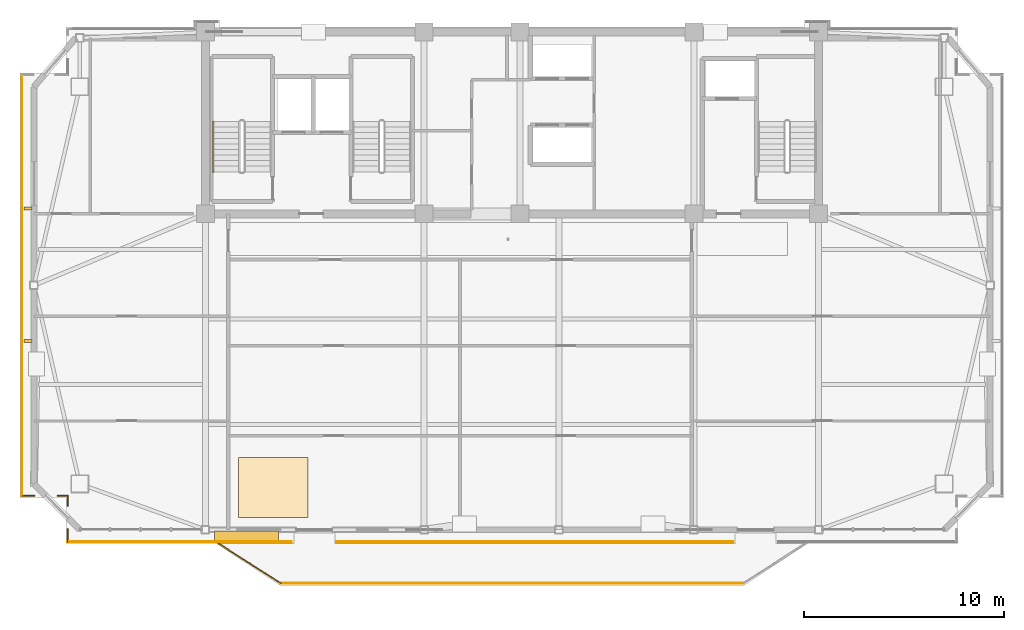
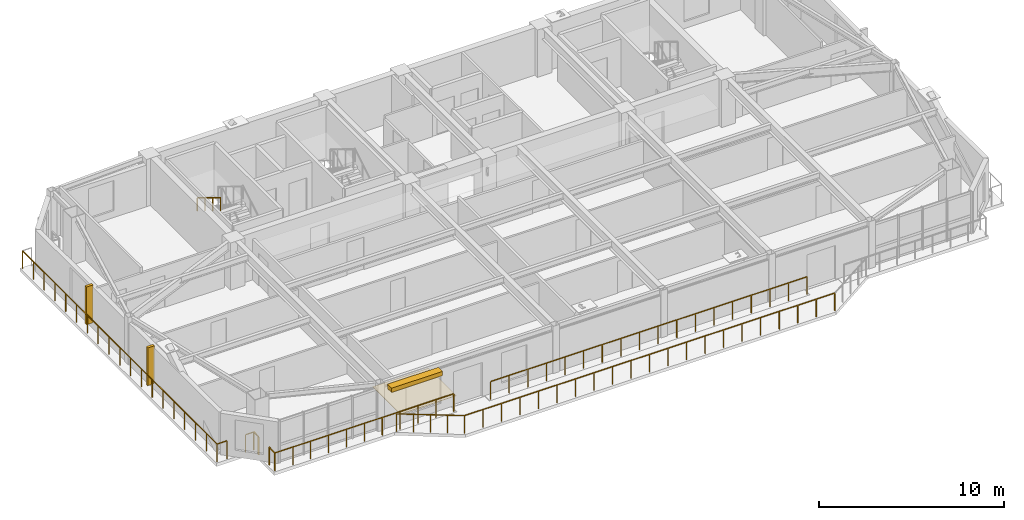
# One storey, part 10 of 13: 10 railings, 3 shading devices, 1 covering.
"""IFC4 building model written with IfcOpenShell, lengths in metres."""

from ifc_helpers import new_model, si_unit, direction, frame, origin, origin_2d, place, context, subcontext, project, spatial, polyline, rectangle, outline, extrude, source, transform, mapped, material, layer, layer_set, type_object, element, save


model = new_model("IFC4")

# Units and contexts
model_context = context("Model", 3, precision=1e-05, world=origin(), true_north=direction((0.0, 1.0)))
body_context = subcontext(model_context, "Body", "Model", "MODEL_VIEW")
ifc_project = project(units=[si_unit("LENGTHUNIT", "METRE"), si_unit("AREAUNIT", "SQUARE_METRE"), si_unit("VOLUMEUNIT", "CUBIC_METRE"), si_unit("PLANEANGLEUNIT", "RADIAN"), si_unit("MASSUNIT", "GRAM", prefix="KILO")], contexts=[model_context])

# Site, building, storey
site_placement = place(None, origin())
site = spatial("IfcSite", under=ifc_project, at=site_placement, CompositionType="ELEMENT")
building_placement = place(site_placement, origin())
building = spatial("IfcBuilding", under=site, at=building_placement, Name="Giltprow Tower", CompositionType="ELEMENT")
storey_placement = place(building_placement, frame((0.0, 0.0, 324.39990234375)))
storey = spatial("IfcBuildingStorey", under=building, at=storey_placement, Name="L84", CompositionType="ELEMENT", Elevation=324.39990234375)

# Covering
ifc_material_1 = material(Name="Engineered oak", Category="wood")
ifc_layer = layer(ifc_material_1, 0.02490234375, Name="Engineered oak")
ifc_layer_set = layer_set([ifc_layer], Name="Engineered oak")
covering_type = type_object("IfcCoveringType", Name="COV-FLR-TIMBER", PredefinedType="FLOORING", material=ifc_layer_set)
covering_placement = place(storey_placement, origin())
element("IfcCovering", 1, at=covering_placement, inside=storey, type_object=covering_type, Name="L84 Residence Oak Parquet Flooring", PredefinedType="FLOORING", context=body_context, shape_type="SweptSolid", body=[
    extrude(outline(polyline([(21.5, 22.236083984375), (25.0, 22.236083984375), (25.0, 25.236083984375), (21.5, 25.236083984375), (21.5, 22.236083984375)])), origin(), (0.0, 0.0, 1.0), 0.025146484375),
])

# Railings
ifc_material_2 = material(Name="Anodized bronze", Category="metal")
railing_type_1 = type_object("IfcRailingType", Name="RAIL-BALC-GUARD-1200", PredefinedType="BALUSTRADE", material=ifc_material_2)
railing_1_placement = place(storey_placement, frame((20.52001953125, 20.93603515625, 0.0)))
element("IfcRailing", 2, at=railing_1_placement, inside=storey, type_object=railing_type_1, Name="L84 Waterfront Balcony Balustrade Seg 1", PredefinedType="BALUSTRADE", context=body_context, shape_type="SweptSolid", body=[
    extrude(rectangle(XDim=0.048095703125, YDim=0.048095703125, at=origin_2d()), frame((0.0, 0.0, 1.17578125), z_axis=(0.84277487735, -0.538266203757, 0.0), x_axis=(0.538266203757, 0.84277487735, 0.0)), (0.0, 0.0, 1.0), 3.678466796875),
    extrude(rectangle(XDim=0.0419921875, YDim=0.0419921875, at=origin_2d()), origin(), (0.0, 0.0, 1.0), 1.15185546875),
    extrude(rectangle(XDim=0.0419921875, YDim=0.0419921875, at=origin_2d()), frame((0.77490234375, -0.4951171875, 0.0)), (0.0, 0.0, 1.0), 1.15185546875),
    extrude(rectangle(XDim=0.0419921875, YDim=0.0419921875, at=origin_2d()), frame((1.550048828125, -0.989990234375, 0.0)), (0.0, 0.0, 1.0), 1.15185546875),
    extrude(rectangle(XDim=0.0419921875, YDim=0.0419921875, at=origin_2d()), frame((2.3251953125, -1.48486328125, 0.0)), (0.0, 0.0, 1.0), 1.15185546875),
    extrude(rectangle(XDim=0.0419921875, YDim=0.0419921875, at=origin_2d()), frame((3.10009765625, -1.97998046875, 0.0)), (0.0, 0.0, 1.0), 1.15185546875),
])
railing_2_placement = place(storey_placement, frame((23.6201171875, 18.9560546875, 0.0)))
element("IfcRailing", 3, at=railing_2_placement, inside=storey, type_object=railing_type_1, Name="L84 Waterfront Balcony Balustrade Seg 2", PredefinedType="BALUSTRADE", context=body_context, shape_type="SweptSolid", body=[
    extrude(rectangle(XDim=0.048095703125, YDim=0.048095703125, at=origin_2d()), frame((0.0, 0.0, 1.17578125), z_axis=(1.0, 0.0, 0.0), x_axis=(0.0, 1.0, 0.0)), (0.0, 0.0, 1.0), 23.159912109375),
    extrude(rectangle(XDim=0.0419921875, YDim=0.0419921875, at=origin_2d()), origin(), (0.0, 0.0, 1.0), 1.15185546875),
    extrude(rectangle(XDim=0.0419921875, YDim=0.0419921875, at=origin_2d()), frame((1.157958984375, 0.0, 0.0)), (0.0, 0.0, 1.0), 1.15185546875),
    extrude(rectangle(XDim=0.0419921875, YDim=0.0419921875, at=origin_2d()), frame((2.31591796875, 0.0, 0.0)), (0.0, 0.0, 1.0), 1.15185546875),
    extrude(rectangle(XDim=0.0419921875, YDim=0.0419921875, at=origin_2d()), frame((3.473876953125, 0.0, 0.0)), (0.0, 0.0, 1.0), 1.15185546875),
    extrude(rectangle(XDim=0.0419921875, YDim=0.0419921875, at=origin_2d()), frame((4.632080078125, 0.0, 0.0)), (0.0, 0.0, 1.0), 1.15185546875),
    extrude(rectangle(XDim=0.0419921875, YDim=0.0419921875, at=origin_2d()), frame((5.7900390625, 0.0, 0.0)), (0.0, 0.0, 1.0), 1.15185546875),
    extrude(rectangle(XDim=0.0419921875, YDim=0.0419921875, at=origin_2d()), frame((6.947998046875, 0.0, 0.0)), (0.0, 0.0, 1.0), 1.15185546875),
    extrude(rectangle(XDim=0.0419921875, YDim=0.0419921875, at=origin_2d()), frame((8.10595703125, 0.0, 0.0)), (0.0, 0.0, 1.0), 1.15185546875),
    extrude(rectangle(XDim=0.0419921875, YDim=0.0419921875, at=origin_2d()), frame((9.263916015625, 0.0, 0.0)), (0.0, 0.0, 1.0), 1.15185546875),
    extrude(rectangle(XDim=0.0419921875, YDim=0.0419921875, at=origin_2d()), frame((10.421875, 0.0, 0.0)), (0.0, 0.0, 1.0), 1.15185546875),
    extrude(rectangle(XDim=0.0419921875, YDim=0.0419921875, at=origin_2d()), frame((11.580078125, 0.0, 0.0)), (0.0, 0.0, 1.0), 1.15185546875),
    extrude(rectangle(XDim=0.0419921875, YDim=0.0419921875, at=origin_2d()), frame((12.738037109375, 0.0, 0.0)), (0.0, 0.0, 1.0), 1.15185546875),
    extrude(rectangle(XDim=0.0419921875, YDim=0.0419921875, at=origin_2d()), frame((13.89599609375, 0.0, 0.0)), (0.0, 0.0, 1.0), 1.15185546875),
    extrude(rectangle(XDim=0.0419921875, YDim=0.0419921875, at=origin_2d()), frame((15.053955078125, 0.0, 0.0)), (0.0, 0.0, 1.0), 1.15185546875),
    extrude(rectangle(XDim=0.0419921875, YDim=0.0419921875, at=origin_2d()), frame((16.2119140625, 0.0, 0.0)), (0.0, 0.0, 1.0), 1.15185546875),
    extrude(rectangle(XDim=0.0419921875, YDim=0.0419921875, at=origin_2d()), frame((17.369873046875, 0.0, 0.0)), (0.0, 0.0, 1.0), 1.15185546875),
    extrude(rectangle(XDim=0.0419921875, YDim=0.0419921875, at=origin_2d()), frame((18.52783203125, 0.0, 0.0)), (0.0, 0.0, 1.0), 1.15185546875),
    extrude(rectangle(XDim=0.0419921875, YDim=0.0419921875, at=origin_2d()), frame((19.68603515625, 0.0, 0.0)), (0.0, 0.0, 1.0), 1.15185546875),
    extrude(rectangle(XDim=0.0419921875, YDim=0.0419921875, at=origin_2d()), frame((20.843994140625, 0.0, 0.0)), (0.0, 0.0, 1.0), 1.15185546875),
    extrude(rectangle(XDim=0.0419921875, YDim=0.0419921875, at=origin_2d()), frame((22.001953125, 0.0, 0.0)), (0.0, 0.0, 1.0), 1.15185546875),
    extrude(rectangle(XDim=0.0419921875, YDim=0.0419921875, at=origin_2d()), frame((23.159912109375, 0.0, 0.0)), (0.0, 0.0, 1.0), 1.15185546875),
])
railing_3_placement = place(storey_placement, frame((46.25, 21.035888671875, 0.0)))
element("IfcRailing", 4, at=railing_3_placement, inside=storey, type_object=railing_type_1, Name="L84 Corner Apron Edge Balustrade 7", PredefinedType="BALUSTRADE", context=body_context, shape_type="SweptSolid", body=[
    extrude(rectangle(XDim=0.048095703125, YDim=0.048095703125, at=origin_2d()), frame((0.0, 0.0, 1.17578125), z_axis=(-1.0, 0.0, 0.0), x_axis=(0.0, -1.0, 0.0)), (0.0, 0.0, 1.0), 19.800048828125),
    extrude(rectangle(XDim=0.0419921875, YDim=0.0419921875, at=origin_2d()), origin(), (0.0, 0.0, 1.0), 1.15185546875),
    extrude(rectangle(XDim=0.0419921875, YDim=0.0419921875, at=origin_2d()), frame((-1.164794921875, 0.0, 0.0)), (0.0, 0.0, 1.0), 1.15185546875),
    extrude(rectangle(XDim=0.0419921875, YDim=0.0419921875, at=origin_2d()), frame((-2.329345703125, 0.0, 0.0)), (0.0, 0.0, 1.0), 1.15185546875),
    extrude(rectangle(XDim=0.0419921875, YDim=0.0419921875, at=origin_2d()), frame((-3.494140625, 0.0, 0.0)), (0.0, 0.0, 1.0), 1.15185546875),
    extrude(rectangle(XDim=0.0419921875, YDim=0.0419921875, at=origin_2d()), frame((-4.658935546875, 0.0, 0.0)), (0.0, 0.0, 1.0), 1.15185546875),
    extrude(rectangle(XDim=0.0419921875, YDim=0.0419921875, at=origin_2d()), frame((-5.823486328125, 0.0, 0.0)), (0.0, 0.0, 1.0), 1.15185546875),
    extrude(rectangle(XDim=0.0419921875, YDim=0.0419921875, at=origin_2d()), frame((-6.98828125, 0.0, 0.0)), (0.0, 0.0, 1.0), 1.15185546875),
    extrude(rectangle(XDim=0.0419921875, YDim=0.0419921875, at=origin_2d()), frame((-8.153076171875, 0.0, 0.0)), (0.0, 0.0, 1.0), 1.15185546875),
    extrude(rectangle(XDim=0.0419921875, YDim=0.0419921875, at=origin_2d()), frame((-9.317626953125, 0.0, 0.0)), (0.0, 0.0, 1.0), 1.15185546875),
    extrude(rectangle(XDim=0.0419921875, YDim=0.0419921875, at=origin_2d()), frame((-10.482421875, 0.0, 0.0)), (0.0, 0.0, 1.0), 1.15185546875),
    extrude(rectangle(XDim=0.0419921875, YDim=0.0419921875, at=origin_2d()), frame((-11.64697265625, 0.0, 0.0)), (0.0, 0.0, 1.0), 1.15185546875),
    extrude(rectangle(XDim=0.0419921875, YDim=0.0419921875, at=origin_2d()), frame((-12.811767578125, 0.0, 0.0)), (0.0, 0.0, 1.0), 1.15185546875),
    extrude(rectangle(XDim=0.0419921875, YDim=0.0419921875, at=origin_2d()), frame((-13.9765625, 0.0, 0.0)), (0.0, 0.0, 1.0), 1.15185546875),
    extrude(rectangle(XDim=0.0419921875, YDim=0.0419921875, at=origin_2d()), frame((-15.14111328125, 0.0, 0.0)), (0.0, 0.0, 1.0), 1.15185546875),
    extrude(rectangle(XDim=0.0419921875, YDim=0.0419921875, at=origin_2d()), frame((-16.305908203125, 0.0, 0.0)), (0.0, 0.0, 1.0), 1.15185546875),
    extrude(rectangle(XDim=0.0419921875, YDim=0.0419921875, at=origin_2d()), frame((-17.470703125, 0.0, 0.0)), (0.0, 0.0, 1.0), 1.15185546875),
    extrude(rectangle(XDim=0.0419921875, YDim=0.0419921875, at=origin_2d()), frame((-18.63525390625, 0.0, 0.0)), (0.0, 0.0, 1.0), 1.15185546875),
    extrude(rectangle(XDim=0.0419921875, YDim=0.0419921875, at=origin_2d()), frame((-19.800048828125, 0.0, 0.0)), (0.0, 0.0, 1.0), 1.15185546875),
])
railing_4_placement = place(storey_placement, frame((24.14990234375, 21.035888671875, 0.0)))
element("IfcRailing", 5, at=railing_4_placement, inside=storey, type_object=railing_type_1, Name="L84 Corner Apron Edge Balustrade 8", PredefinedType="BALUSTRADE", context=body_context, shape_type="SweptSolid", body=[
    extrude(rectangle(XDim=0.048095703125, YDim=0.048095703125, at=origin_2d()), frame((0.0, 0.0, 1.17578125), z_axis=(-1.0, 0.0, 0.0), x_axis=(0.0, -1.0, 0.0)), (0.0, 0.0, 1.0), 11.18798828125),
    extrude(rectangle(XDim=0.0419921875, YDim=0.0419921875, at=origin_2d()), origin(), (0.0, 0.0, 1.0), 1.15185546875),
    extrude(rectangle(XDim=0.0419921875, YDim=0.0419921875, at=origin_2d()), frame((-1.118896484375, 0.0, 0.0)), (0.0, 0.0, 1.0), 1.15185546875),
    extrude(rectangle(XDim=0.0419921875, YDim=0.0419921875, at=origin_2d()), frame((-2.237548828125, 0.0, 0.0)), (0.0, 0.0, 1.0), 1.15185546875),
    extrude(rectangle(XDim=0.0419921875, YDim=0.0419921875, at=origin_2d()), frame((-3.3564453125, 0.0, 0.0)), (0.0, 0.0, 1.0), 1.15185546875),
    extrude(rectangle(XDim=0.0419921875, YDim=0.0419921875, at=origin_2d()), frame((-4.47509765625, 0.0, 0.0)), (0.0, 0.0, 1.0), 1.15185546875),
    extrude(rectangle(XDim=0.0419921875, YDim=0.0419921875, at=origin_2d()), frame((-5.593994140625, 0.0, 0.0)), (0.0, 0.0, 1.0), 1.15185546875),
    extrude(rectangle(XDim=0.0419921875, YDim=0.0419921875, at=origin_2d()), frame((-6.712890625, 0.0, 0.0)), (0.0, 0.0, 1.0), 1.15185546875),
    extrude(rectangle(XDim=0.0419921875, YDim=0.0419921875, at=origin_2d()), frame((-7.83154296875, 0.0, 0.0)), (0.0, 0.0, 1.0), 1.15185546875),
    extrude(rectangle(XDim=0.0419921875, YDim=0.0419921875, at=origin_2d()), frame((-8.950439453125, 0.0, 0.0)), (0.0, 0.0, 1.0), 1.15185546875),
    extrude(rectangle(XDim=0.0419921875, YDim=0.0419921875, at=origin_2d()), frame((-10.069091796875, 0.0, 0.0)), (0.0, 0.0, 1.0), 1.15185546875),
    extrude(rectangle(XDim=0.0419921875, YDim=0.0419921875, at=origin_2d()), frame((-11.18798828125, 0.0, 0.0)), (0.0, 0.0, 1.0), 1.15185546875),
])
railing_5_placement = place(storey_placement, frame((12.9619140625, 21.035888671875, 0.0)))
element("IfcRailing", 6, at=railing_5_placement, inside=storey, type_object=railing_type_1, Name="L84 Corner Apron Edge Balustrade 9", PredefinedType="BALUSTRADE", context=body_context, shape_type="SweptSolid", body=[
    extrude(rectangle(XDim=0.048095703125, YDim=0.048095703125, at=origin_2d()), frame((0.0, 0.0, 1.17578125), z_axis=(0.0, 1.0, 0.0), x_axis=(-1.0, 0.0, 0.0)), (0.0, 0.0, 1.0), 0.6201171875),
    extrude(rectangle(XDim=0.0419921875, YDim=0.0419921875, at=origin_2d()), origin(), (0.0, 0.0, 1.0), 1.15185546875),
    extrude(rectangle(XDim=0.0419921875, YDim=0.0419921875, at=origin_2d()), frame((0.0, 0.6201171875, 0.0)), (0.0, 0.0, 1.0), 1.15185546875),
])
railing_6_placement = place(storey_placement, frame((12.9619140625, 22.81591796875, 0.0)))
element("IfcRailing", 7, at=railing_6_placement, inside=storey, type_object=railing_type_1, Name="L84 Corner Apron Edge Balustrade 10", PredefinedType="BALUSTRADE", context=body_context, shape_type="SweptSolid", body=[
    extrude(rectangle(XDim=0.048095703125, YDim=0.048095703125, at=origin_2d()), frame((0.0, 0.0, 1.17578125), z_axis=(0.0, 1.0, 0.0), x_axis=(-1.0, 0.0, 0.0)), (0.0, 0.0, 1.0), 0.511962890625),
    extrude(rectangle(XDim=0.0419921875, YDim=0.0419921875, at=origin_2d()), origin(), (0.0, 0.0, 1.0), 1.15185546875),
    extrude(rectangle(XDim=0.0419921875, YDim=0.0419921875, at=origin_2d()), frame((0.0, 0.511962890625, 0.0)), (0.0, 0.0, 1.0), 1.15185546875),
])
railing_7_placement = place(storey_placement, frame((12.9619140625, 23.327880859375, 0.0)))
element("IfcRailing", 8, at=railing_7_placement, inside=storey, type_object=railing_type_1, Name="L84 Corner Apron Edge Balustrade 11", PredefinedType="BALUSTRADE", context=body_context, shape_type="SweptSolid", body=[
    extrude(rectangle(XDim=0.048095703125, YDim=0.048095703125, at=origin_2d()), frame((0.0, 0.0, 1.17578125), z_axis=(-1.0, 0.0, 0.0), x_axis=(0.0, -1.0, 0.0)), (0.0, 0.0, 1.0), 0.511962890625),
    extrude(rectangle(XDim=0.0419921875, YDim=0.0419921875, at=origin_2d()), origin(), (0.0, 0.0, 1.0), 1.15185546875),
    extrude(rectangle(XDim=0.0419921875, YDim=0.0419921875, at=origin_2d()), frame((-0.511962890625, 0.0, 0.0)), (0.0, 0.0, 1.0), 1.15185546875),
])
railing_8_placement = place(storey_placement, frame((11.2900390625, 23.327880859375, 0.0)))
element("IfcRailing", 9, at=railing_8_placement, inside=storey, type_object=railing_type_1, Name="L84 Corner Apron Edge Balustrade 12", PredefinedType="BALUSTRADE", context=body_context, shape_type="SweptSolid", body=[
    extrude(rectangle(XDim=0.048095703125, YDim=0.048095703125, at=origin_2d()), frame((0.0, 0.0, 1.17578125), z_axis=(-1.0, 0.0, 0.0), x_axis=(0.0, -1.0, 0.0)), (0.0, 0.0, 1.0), 0.6201171875),
    extrude(rectangle(XDim=0.0419921875, YDim=0.0419921875, at=origin_2d()), origin(), (0.0, 0.0, 1.0), 1.15185546875),
    extrude(rectangle(XDim=0.0419921875, YDim=0.0419921875, at=origin_2d()), frame((-0.6201171875, 0.0, 0.0)), (0.0, 0.0, 1.0), 1.15185546875),
])
railing_9_placement = place(storey_placement, frame((10.669921875, 23.327880859375, 0.0)))
element("IfcRailing", 10, at=railing_9_placement, inside=storey, type_object=railing_type_1, Name="L84 Corner Apron Edge Balustrade 13", PredefinedType="BALUSTRADE", context=body_context, shape_type="SweptSolid", body=[
    extrude(rectangle(XDim=0.048095703125, YDim=0.048095703125, at=origin_2d()), frame((0.0, 0.0, 1.17578125), z_axis=(0.0, 1.0, 0.0), x_axis=(-1.0, 0.0, 0.0)), (0.0, 0.0, 1.0), 21.080078125),
    extrude(rectangle(XDim=0.0419921875, YDim=0.0419921875, at=origin_2d()), origin(), (0.0, 0.0, 1.0), 1.15185546875),
    extrude(rectangle(XDim=0.0419921875, YDim=0.0419921875, at=origin_2d()), frame((0.0, 1.171142578125, 0.0)), (0.0, 0.0, 1.0), 1.15185546875),
    extrude(rectangle(XDim=0.0419921875, YDim=0.0419921875, at=origin_2d()), frame((0.0, 2.34228515625, 0.0)), (0.0, 0.0, 1.0), 1.15185546875),
    extrude(rectangle(XDim=0.0419921875, YDim=0.0419921875, at=origin_2d()), frame((0.0, 3.513427734375, 0.0)), (0.0, 0.0, 1.0), 1.15185546875),
    extrude(rectangle(XDim=0.0419921875, YDim=0.0419921875, at=origin_2d()), frame((0.0, 4.6845703125, 0.0)), (0.0, 0.0, 1.0), 1.15185546875),
    extrude(rectangle(XDim=0.0419921875, YDim=0.0419921875, at=origin_2d()), frame((0.0, 5.85546875, 0.0)), (0.0, 0.0, 1.0), 1.15185546875),
    extrude(rectangle(XDim=0.0419921875, YDim=0.0419921875, at=origin_2d()), frame((0.0, 7.026611328125, 0.0)), (0.0, 0.0, 1.0), 1.15185546875),
    extrude(rectangle(XDim=0.0419921875, YDim=0.0419921875, at=origin_2d()), frame((0.0, 8.19775390625, 0.0)), (0.0, 0.0, 1.0), 1.15185546875),
    extrude(rectangle(XDim=0.0419921875, YDim=0.0419921875, at=origin_2d()), frame((0.0, 9.368896484375, 0.0)), (0.0, 0.0, 1.0), 1.15185546875),
    extrude(rectangle(XDim=0.0419921875, YDim=0.0419921875, at=origin_2d()), frame((0.0, 10.5400390625, 0.0)), (0.0, 0.0, 1.0), 1.15185546875),
    extrude(rectangle(XDim=0.0419921875, YDim=0.0419921875, at=origin_2d()), frame((0.0, 11.711181640625, 0.0)), (0.0, 0.0, 1.0), 1.15185546875),
    extrude(rectangle(XDim=0.0419921875, YDim=0.0419921875, at=origin_2d()), frame((0.0, 12.88232421875, 0.0)), (0.0, 0.0, 1.0), 1.15185546875),
    extrude(rectangle(XDim=0.0419921875, YDim=0.0419921875, at=origin_2d()), frame((0.0, 14.053466796875, 0.0)), (0.0, 0.0, 1.0), 1.15185546875),
    extrude(rectangle(XDim=0.0419921875, YDim=0.0419921875, at=origin_2d()), frame((0.0, 15.224609375, 0.0)), (0.0, 0.0, 1.0), 1.15185546875),
    extrude(rectangle(XDim=0.0419921875, YDim=0.0419921875, at=origin_2d()), frame((0.0, 16.3955078125, 0.0)), (0.0, 0.0, 1.0), 1.15185546875),
    extrude(rectangle(XDim=0.0419921875, YDim=0.0419921875, at=origin_2d()), frame((0.0, 17.566650390625, 0.0)), (0.0, 0.0, 1.0), 1.15185546875),
    extrude(rectangle(XDim=0.0419921875, YDim=0.0419921875, at=origin_2d()), frame((0.0, 18.73779296875, 0.0)), (0.0, 0.0, 1.0), 1.15185546875),
    extrude(rectangle(XDim=0.0419921875, YDim=0.0419921875, at=origin_2d()), frame((0.0, 19.908935546875, 0.0)), (0.0, 0.0, 1.0), 1.15185546875),
    extrude(rectangle(XDim=0.0419921875, YDim=0.0419921875, at=origin_2d()), frame((0.0, 21.080078125, 0.0)), (0.0, 0.0, 1.0), 1.15185546875),
])
railing_type_2 = type_object("IfcRailingType", Name="RAIL-STAIR-HAND-900", PredefinedType="HANDRAIL", material=ifc_material_2)
railing_10_placement = place(storey_placement, frame((20.25, 42.070068359375, 1.8701171875)))
element("IfcRailing", 11, at=railing_10_placement, inside=storey, type_object=railing_type_2, Name="L84 ST-1 stair handrail 2", PredefinedType="HANDRAIL", context=body_context, shape_type="SweptSolid", body=[
    extrude(rectangle(XDim=0.048095703125, YDim=0.048095703125, at=origin_2d()), frame((0.0, 0.0, 0.8759765625), z_axis=(0.0, -0.85478489116, 0.518982456201), x_axis=(1.0, 0.0, 0.0)), (0.0, 0.0, 1.0), 2.9482421875),
    extrude(rectangle(XDim=0.0419921875, YDim=0.0419921875, at=origin_2d()), origin(), (0.0, 0.0, 1.0), 0.851806640625),
    extrude(rectangle(XDim=0.0419921875, YDim=0.0419921875, at=origin_2d()), frame((0.0, -0.840087890625, 0.510009765625)), (0.0, 0.0, 1.0), 0.851806640625),
    extrude(rectangle(XDim=0.0419921875, YDim=0.0419921875, at=origin_2d()), frame((0.0, -1.679931640625, 1.02001953125)), (0.0, 0.0, 1.0), 0.851806640625),
    extrude(rectangle(XDim=0.0419921875, YDim=0.0419921875, at=origin_2d()), frame((0.0, -2.52001953125, 1.530029296875)), (0.0, 0.0, 1.0), 0.851806640625),
])

# Shading devices
shading_device_type_1 = type_object("IfcShadingDeviceType", Name="SHD-FIN-420", PredefinedType="USERDEFINED", material=ifc_material_2)
shared_shape_1 = source(origin(), body_context, "Body", "SweptSolid", [
    extrude(rectangle(XDim=0.419921875, YDim=0.159912109375, at=origin_2d()), origin(), (0.0, 0.0, 1.0), 2.5),
])
for number, where, z_axis, x_axis, name in (
    (12, (10.969970703125, 31.074951171875, 0.35009765625), (0.0, 0.0, 1.0), (1.0, 0.0, 0.0), "L84 W Bronze Vertical Fin 1-1"),
    (13, (10.969970703125, 37.718017578125, 0.35009765625), (0.0, 0.0, 1.0), (1.0, 0.0, 0.0), "L84 W Bronze Vertical Fin 2-1"),
):
    element("IfcShadingDevice", number, at=place(storey_placement, frame(where, z_axis=z_axis, x_axis=x_axis)), inside=storey, type_object=shading_device_type_1, Name=name, ObjectType="FIN", PredefinedType="USERDEFINED", context=body_context, shape_type="MappedRepresentation", body=[
        mapped(shared_shape_1, transform((0.0, 0.0, 0.0), x_axis=(1.0, 0.0, 0.0), y_axis=(0.0, 1.0, 0.0), z_axis=(0.0, 0.0, 1.0), scale=1.0)),
    ])
shading_device_type_2 = type_object("IfcShadingDeviceType", Name="SHD-LOUVRE-320", PredefinedType="JALOUSIE", material=ifc_material_2)
shared_shape_2 = source(origin(), body_context, "Body", "SweptSolid", [
    extrude(rectangle(XDim=3.199951171875, YDim=0.449951171875, at=origin_2d()), origin(), (0.0, 0.0, 1.0), 0.280029296875),
])
shading_device_placement = place(storey_placement, frame((21.89990234375, 21.3359375, 2.56005859375), z_axis=(0.0, 0.0, 1.0), x_axis=(1.0, 0.0, 0.0)))
element("IfcShadingDevice", 14, at=shading_device_placement, inside=storey, type_object=shading_device_type_2, Name="L84 Bronze Sunshade Louvre S-2", PredefinedType="JALOUSIE", context=body_context, shape_type="MappedRepresentation", body=[
    mapped(shared_shape_2, transform((0.0, 0.0, 0.0), x_axis=(1.0, 0.0, 0.0), y_axis=(0.0, 1.0, 0.0), z_axis=(0.0, 0.0, 1.0), scale=1.0)),
])

save(model, "model.ifc")
